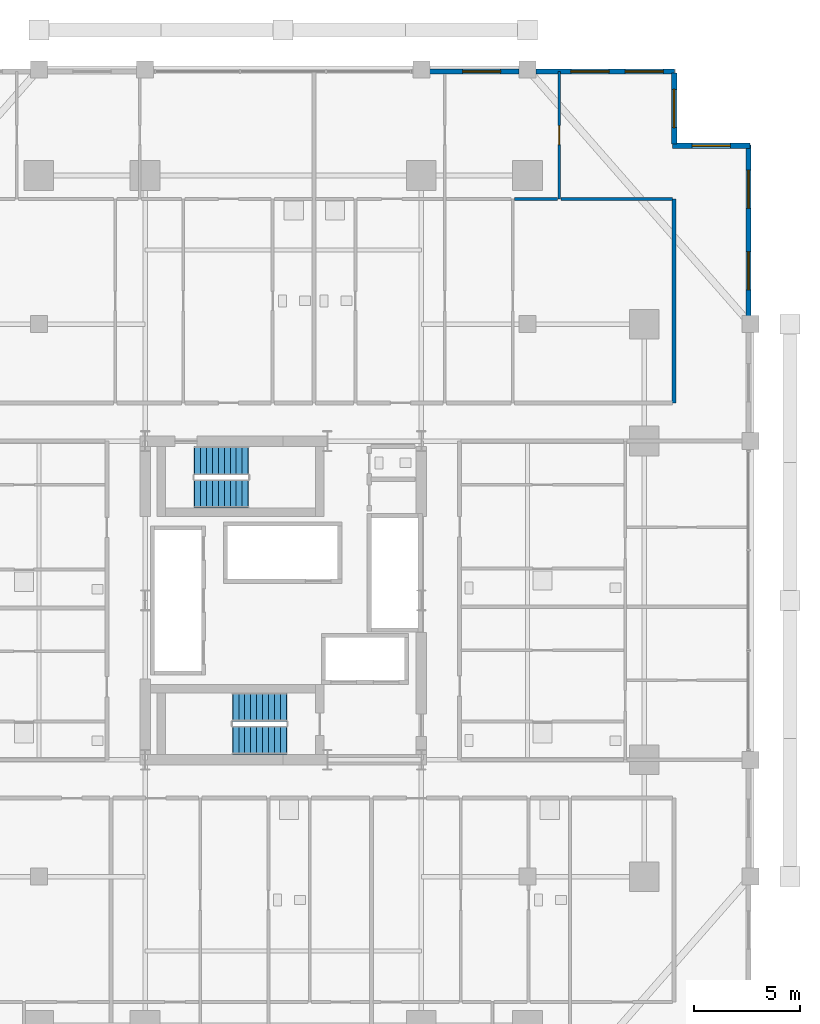
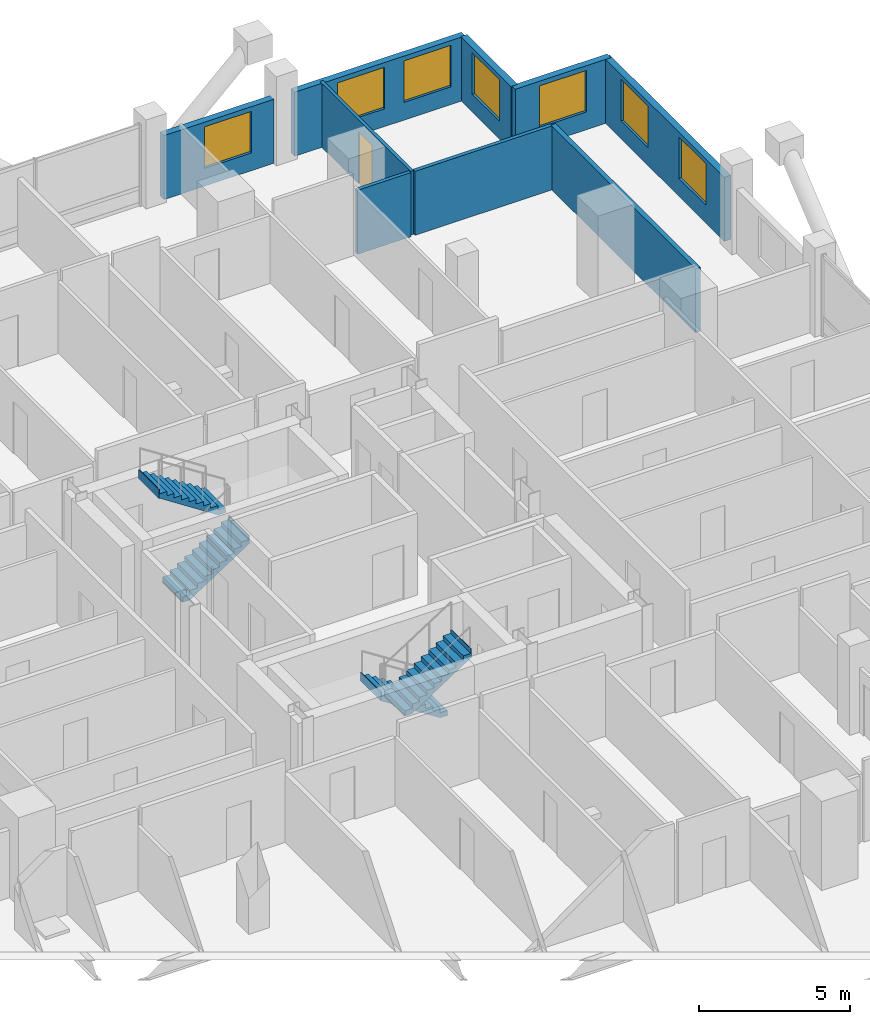
# One storey, part 22 of 24: 9 walls, 7 windows, 4 stair flights, 1 door, 8 openings, 2 elements without a shape of their own.
"""IFC4 building model written with IfcOpenShell, lengths in metres."""

from ifc_helpers import new_model, si_unit, direction, frame, frame_2d, origin, place, context, subcontext, project, spatial, polyline, rectangle, outline, extrude, material, layer, layer_set, type_object, element, fill, aggregate, save


model = new_model("IFC4")

# Units and contexts
model_context = context("Model", 3, precision=1e-05, world=origin(), true_north=direction((0.0, 1.0)))
body_context = subcontext(model_context, "Body", "Model", "MODEL_VIEW")
ifc_project = project(units=[si_unit("LENGTHUNIT", "METRE"), si_unit("AREAUNIT", "SQUARE_METRE"), si_unit("VOLUMEUNIT", "CUBIC_METRE"), si_unit("PLANEANGLEUNIT", "RADIAN"), si_unit("MASSUNIT", "GRAM", prefix="KILO")], contexts=[model_context])

# Site, building, storey
site_placement = place(None, origin())
site = spatial("IfcSite", under=ifc_project, at=site_placement, CompositionType="ELEMENT")
building_placement = place(site_placement, origin())
building = spatial("IfcBuilding", under=site, at=building_placement, Name="Barlavira Tower and Art Museum", CompositionType="ELEMENT")
storey_placement = place(building_placement, frame((0.0, 0.0, 90.0)))
storey = spatial("IfcBuildingStorey", under=building, at=storey_placement, Name="L22", CompositionType="ELEMENT", Elevation=90.0)

# Wall, opening, door
ifc_material_1 = material(Name="Gypsum acoustic stud partition", Category="gypsum")
ifc_layer_1 = layer(ifc_material_1, 0.1201171875, Name="Gypsum acoustic stud partition")
ifc_layer_set_1 = layer_set([ifc_layer_1], Name="Gypsum acoustic stud partition")
wall_type_1 = type_object("IfcWallType", Name="Apartment Internal Acoustic Partition 120", PredefinedType="PARTITIONING", material=ifc_layer_set_1)
wall_1_placement = place(storey_placement, frame((13.0, 18.89990234375, 0.0), z_axis=(0.0, 0.0, 1.0), x_axis=(0.0, 1.0, 0.0)))
wall_1 = element("IfcWall", 1, at=wall_1_placement, inside=storey, type_object=wall_type_1, Name="L22 Partition Wall 28", PredefinedType="PARTITIONING", context=body_context, shape_type="SweptSolid", body=[
    extrude(rectangle(XDim=6.0, YDim=0.1201171875, at=frame_2d((3.0, 0.0))), origin(), (0.0, 0.0, 1.0), 2.590087890625),
])
opening_1_placement = place(wall_1_placement, frame((2.550048828125, 0.0, 0.0)))
opening_1 = element("IfcOpeningElement", 2, at=opening_1_placement, cuts=wall_1, Name="Opening D-01", PredefinedType="OPENING", context=body_context, shape_type="SweptSolid", body=[
    extrude(rectangle(XDim=0.89990234375, YDim=2.10009765625, at=frame_2d((0.449951171875, 1.050048828125))), frame((0.0, 0.070068359375, 0.0), z_axis=(0.0, -1.0, 0.0), x_axis=(1.0, 0.0, 0.0)), (0.0, 0.0, 1.0), 0.14013671875),
])
ifc_material_2 = material(Name="Engineered coastal hardwood", Category="wood")
door_type = type_object("IfcDoorType", Name="Internal Bedroom Timber Flush Door 900x2100", OperationType="NOTDEFINED", PredefinedType="DOOR", material=ifc_material_2)
door_placement = place(opening_1_placement, origin())
door = element("IfcDoor", 3, at=door_placement, inside=storey, type_object=door_type, Name="Apartment N2 Bedroom 2 Door", OperationType="SINGLE_SWING_LEFT", OverallHeight=2.10009765625, OverallWidth=0.89990234375, PredefinedType="DOOR", context=body_context, shape_type="SweptSolid", body=[
    extrude(rectangle(XDim=0.89990234375, YDim=2.10009765625, at=frame_2d((0.449951171875, 1.050048828125))), frame((0.0, 0.02490234375, 0.0), z_axis=(0.0, -1.0, 0.0), x_axis=(1.0, 0.0, 0.0)), (0.0, 0.0, 1.0), 0.050048828125),
])
fill(opening_1, door)

# Walls
ifc_layer_2 = layer(ifc_material_1, 0.179931640625, Name="Gypsum acoustic stud partition")
ifc_layer_set_2 = layer_set([ifc_layer_2], Name="Gypsum acoustic stud partition")
wall_type_2 = type_object("IfcWallType", Name="Inter-Tenancy Party Partition Wall 180", PredefinedType="PARTITIONING", material=ifc_layer_set_2)
wall_2_placement = place(storey_placement, frame((18.39990234375, 9.300048828125, 0.0), z_axis=(0.0, 0.0, 1.0), x_axis=(0.0, 1.0, 0.0)))
element("IfcWall", 4, at=wall_2_placement, inside=storey, type_object=wall_type_2, Name="L22 Partition Wall 32", PredefinedType="PARTITIONING", context=body_context, shape_type="SweptSolid", body=[
    extrude(rectangle(XDim=9.599853515625, YDim=0.179931640625, at=frame_2d((4.7998046875, 0.0))), origin(), (0.0, 0.0, 1.0), 2.590087890625),
])
ifc_layer_3 = layer(ifc_material_1, 0.139892578125, Name="Gypsum acoustic stud partition")
ifc_layer_set_3 = layer_set([ifc_layer_3], Name="Gypsum acoustic stud partition")
wall_type_3 = type_object("IfcWallType", Name="Moisture-Resistant Bathroom Partition 140", PredefinedType="PARTITIONING", material=ifc_layer_set_3)
wall_3_placement = place(storey_placement, frame((10.8798828125, 18.89990234375, 0.0), z_axis=(0.0, 0.0, 1.0), x_axis=(1.0, 0.0, 0.0)))
element("IfcWall", 5, at=wall_3_placement, inside=storey, type_object=wall_type_3, Name="L22 Partition Wall 101", PredefinedType="PARTITIONING", context=body_context, shape_type="SweptSolid", body=[
    extrude(rectangle(XDim=2.0400390625, YDim=0.139892578125, at=frame_2d((1.02001953125, 0.0))), origin(), (0.0, 0.0, 1.0), 2.590087890625),
])
wall_4_placement = place(storey_placement, frame((13.080078125, 18.89990234375, 0.0), z_axis=(0.0, 0.0, 1.0), x_axis=(1.0, 0.0, 0.0)))
element("IfcWall", 6, at=wall_4_placement, inside=storey, type_object=wall_type_3, Name="L22 Partition Wall 102", PredefinedType="PARTITIONING", context=body_context, shape_type="SweptSolid", body=[
    extrude(rectangle(XDim=5.239990234375, YDim=0.139892578125, at=frame_2d((2.6201171875, 0.0))), origin(), (0.0, 0.0, 1.0), 2.590087890625),
])

# Wall, openings, windows
ifc_material_3 = material(Name="Precast concrete C40", Category="concrete")
ifc_layer_4 = layer(ifc_material_3, 0.25, Name="Precast concrete C40")
ifc_layer_set_4 = layer_set([ifc_layer_4], Name="Precast concrete C40")
wall_type_4 = type_object("IfcWallType", Name="Notched Corner Spandrel Wall 250 Precast Concrete C40", PredefinedType="SOLIDWALL", material=ifc_layer_set_4)
wall_5_placement = place(storey_placement, frame((18.425048828125, 24.89990234375, 0.0), z_axis=(0.0, 0.0, 1.0), x_axis=(-1.0, 0.0, 0.0)))
wall_5 = element("IfcWall", 7, at=wall_5_placement, inside=storey, type_object=wall_type_4, Name="L22 Coastal Facade Pier Wall CW1-L22-N-1", PredefinedType="SOLIDWALL", context=body_context, shape_type="SweptSolid", body=[
    extrude(rectangle(XDim=6.530029296875, YDim=0.25, at=frame_2d((3.26513671875, 0.0))), origin(), (0.0, 0.0, 1.0), 2.590087890625),
])
opening_2_placement = place(wall_5_placement, frame((0.533935546875, 0.0, 0.719970703125)))
opening_2 = element("IfcOpeningElement", 8, at=opening_2_placement, cuts=wall_5, Name="Opening WN-01", PredefinedType="OPENING", context=body_context, shape_type="SweptSolid", body=[
    extrude(rectangle(XDim=1.800048828125, YDim=1.679931640625, at=frame_2d((0.89990234375, 0.83984375))), frame((0.0, 0.135009765625, 0.0), z_axis=(0.0, -1.0, 0.0), x_axis=(1.0, 0.0, 0.0)), (0.0, 0.0, 1.0), 0.27001953125),
])
opening_3_placement = place(wall_5_placement, frame((3.0810546875, 0.0, 0.719970703125)))
opening_3 = element("IfcOpeningElement", 9, at=opening_3_placement, cuts=wall_5, Name="Opening WN-01", PredefinedType="OPENING", context=body_context, shape_type="SweptSolid", body=[
    extrude(rectangle(XDim=1.800048828125, YDim=1.679931640625, at=frame_2d((0.89990234375, 0.83984375))), frame((0.0, 0.135009765625, 0.0), z_axis=(0.0, -1.0, 0.0), x_axis=(1.0, 0.0, 0.0)), (0.0, 0.0, 1.0), 0.27001953125),
])
ifc_material_4 = material(Name="Low-iron coastal laminated glass", Category="glass")
window_type = type_object("IfcWindowType", Name="Recessed Notch Corner Punch Window 1800x1680", PartitioningType="SINGLE_PANEL", PredefinedType="WINDOW", material=ifc_material_4)
window_1_placement = place(opening_2_placement, origin())
window_1 = element("IfcWindow", 10, at=window_1_placement, inside=storey, type_object=window_type, Name="L22 Punched Facade Window EWP-CW1-L22-N-1-1", OverallHeight=1.679931640625, OverallWidth=1.800048828125, PartitioningType="SINGLE_PANEL", PredefinedType="WINDOW", context=body_context, shape_type="SweptSolid", body=[
    extrude(rectangle(XDim=1.800048828125, YDim=1.679931640625, at=frame_2d((0.89990234375, 0.83984375))), frame((0.0, 0.030029296875, 0.0), z_axis=(0.0, -1.0, 0.0), x_axis=(1.0, 0.0, 0.0)), (0.0, 0.0, 1.0), 0.06005859375),
])
fill(opening_2, window_1)
window_2_placement = place(opening_3_placement, origin())
window_2 = element("IfcWindow", 11, at=window_2_placement, inside=storey, type_object=window_type, Name="L22 Punched Facade Window EWP-CW1-L22-N-1-2", OverallHeight=1.679931640625, OverallWidth=1.800048828125, PartitioningType="SINGLE_PANEL", PredefinedType="WINDOW", context=body_context, shape_type="SweptSolid", body=[
    extrude(rectangle(XDim=1.800048828125, YDim=1.679931640625, at=frame_2d((0.89990234375, 0.83984375))), frame((0.0, 0.030029296875, 0.0), z_axis=(0.0, -1.0, 0.0), x_axis=(1.0, 0.0, 0.0)), (0.0, 0.0, 1.0), 0.06005859375),
])
fill(opening_3, window_2)

# Wall, opening, window
wall_6_placement = place(storey_placement, frame((11.10498046875, 24.89990234375, 0.0), z_axis=(0.0, 0.0, 1.0), x_axis=(-1.0, 0.0, 0.0)))
wall_6 = element("IfcWall", 12, at=wall_6_placement, inside=storey, type_object=wall_type_4, Name="L22 Coastal Facade Pier Wall CW1-L22-N-2", PredefinedType="SOLIDWALL", context=body_context, shape_type="SweptSolid", body=[
    extrude(rectangle(XDim=4.2099609375, YDim=0.25, at=frame_2d((2.10498046875, 0.0))), origin(), (0.0, 0.0, 1.0), 2.590087890625),
])
opening_4_placement = place(wall_6_placement, frame((0.864990234375, 0.0, 0.719970703125)))
opening_4 = element("IfcOpeningElement", 13, at=opening_4_placement, cuts=wall_6, Name="Opening WN-01", PredefinedType="OPENING", context=body_context, shape_type="SweptSolid", body=[
    extrude(rectangle(XDim=1.800048828125, YDim=1.679931640625, at=frame_2d((0.89990234375, 0.83984375))), frame((0.0, 0.135009765625, 0.0), z_axis=(0.0, -1.0, 0.0), x_axis=(1.0, 0.0, 0.0)), (0.0, 0.0, 1.0), 0.27001953125),
])
window_3_placement = place(opening_4_placement, origin())
window_3 = element("IfcWindow", 14, at=window_3_placement, inside=storey, type_object=window_type, Name="L22 Punched Facade Window EWP-CW1-L22-N-2-1", OverallHeight=1.679931640625, OverallWidth=1.800048828125, PartitioningType="SINGLE_PANEL", PredefinedType="WINDOW", context=body_context, shape_type="SweptSolid", body=[
    extrude(rectangle(XDim=1.800048828125, YDim=1.679931640625, at=frame_2d((0.89990234375, 0.83984375))), frame((0.0, 0.030029296875, 0.0), z_axis=(0.0, -1.0, 0.0), x_axis=(1.0, 0.0, 0.0)), (0.0, 0.0, 1.0), 0.06005859375),
])
fill(opening_4, window_3)

# Wall, openings, windows
wall_7_placement = place(storey_placement, frame((21.89990234375, 13.39501953125, 0.0), z_axis=(0.0, 0.0, 1.0), x_axis=(0.0, 1.0, 0.0)))
wall_7 = element("IfcWall", 15, at=wall_7_placement, inside=storey, type_object=wall_type_4, Name="L22 Coastal Facade Pier Wall CW1-L22-E-5", PredefinedType="SOLIDWALL", context=body_context, shape_type="SweptSolid", body=[
    extrude(rectangle(XDim=8.030029296875, YDim=0.25, at=frame_2d((4.01513671875, 0.0))), origin(), (0.0, 0.0, 1.0), 2.590087890625),
])
opening_5_placement = place(wall_7_placement, frame((1.220947265625, 0.0, 0.719970703125)))
opening_5 = element("IfcOpeningElement", 16, at=opening_5_placement, cuts=wall_7, Name="Opening WN-01", PredefinedType="OPENING", context=body_context, shape_type="SweptSolid", body=[
    extrude(rectangle(XDim=1.800048828125, YDim=1.679931640625, at=frame_2d((0.89990234375, 0.83984375))), frame((0.0, 0.135009765625, 0.0), z_axis=(0.0, -1.0, 0.0), x_axis=(1.0, 0.0, 0.0)), (0.0, 0.0, 1.0), 0.27001953125),
])
opening_6_placement = place(wall_7_placement, frame((5.053955078125, 0.0, 0.719970703125)))
opening_6 = element("IfcOpeningElement", 17, at=opening_6_placement, cuts=wall_7, Name="Opening WN-01", PredefinedType="OPENING", context=body_context, shape_type="SweptSolid", body=[
    extrude(rectangle(XDim=1.800048828125, YDim=1.679931640625, at=frame_2d((0.89990234375, 0.83984375))), frame((0.0, 0.135009765625, 0.0), z_axis=(0.0, -1.0, 0.0), x_axis=(1.0, 0.0, 0.0)), (0.0, 0.0, 1.0), 0.27001953125),
])
window_4_placement = place(opening_5_placement, origin())
window_4 = element("IfcWindow", 18, at=window_4_placement, inside=storey, type_object=window_type, Name="L22 Punched Facade Window EWP-CW1-L22-E-5-1", OverallHeight=1.679931640625, OverallWidth=1.800048828125, PartitioningType="SINGLE_PANEL", PredefinedType="WINDOW", context=body_context, shape_type="SweptSolid", body=[
    extrude(rectangle(XDim=1.800048828125, YDim=1.679931640625, at=frame_2d((0.89990234375, 0.83984375))), frame((0.0, 0.030029296875, 0.0), z_axis=(0.0, -1.0, 0.0), x_axis=(1.0, 0.0, 0.0)), (0.0, 0.0, 1.0), 0.06005859375),
])
fill(opening_5, window_4)
window_5_placement = place(opening_6_placement, origin())
window_5 = element("IfcWindow", 19, at=window_5_placement, inside=storey, type_object=window_type, Name="L22 Punched Facade Window EWP-CW1-L22-E-5-2", OverallHeight=1.679931640625, OverallWidth=1.800048828125, PartitioningType="SINGLE_PANEL", PredefinedType="WINDOW", context=body_context, shape_type="SweptSolid", body=[
    extrude(rectangle(XDim=1.800048828125, YDim=1.679931640625, at=frame_2d((0.89990234375, 0.83984375))), frame((0.0, 0.030029296875, 0.0), z_axis=(0.0, -1.0, 0.0), x_axis=(1.0, 0.0, 0.0)), (0.0, 0.0, 1.0), 0.06005859375),
])
fill(opening_6, window_5)

# Wall, opening, window
wall_8_placement = place(storey_placement, frame((21.97998046875, 21.39990234375, 0.0), z_axis=(0.0, 0.0, 1.0), x_axis=(-1.0, 0.0, 0.0)))
wall_8 = element("IfcWall", 20, at=wall_8_placement, inside=storey, type_object=wall_type_4, Name="L22 Notch Corner Wall NE1", PredefinedType="SOLIDWALL", context=body_context, shape_type="SweptSolid", body=[
    extrude(rectangle(XDim=3.659912109375, YDim=0.25, at=frame_2d((1.830078125, 0.0))), origin(), (0.0, 0.0, 1.0), 2.590087890625),
])
opening_7_placement = place(wall_8_placement, frame((0.929931640625, 0.0, 0.719970703125)))
opening_7 = element("IfcOpeningElement", 21, at=opening_7_placement, cuts=wall_8, Name="Opening WN-01", PredefinedType="OPENING", context=body_context, shape_type="SweptSolid", body=[
    extrude(rectangle(XDim=1.800048828125, YDim=1.679931640625, at=frame_2d((0.89990234375, 0.83984375))), frame((0.0, 0.135009765625, 0.0), z_axis=(0.0, -1.0, 0.0), x_axis=(1.0, 0.0, 0.0)), (0.0, 0.0, 1.0), 0.27001953125),
])
window_6_placement = place(opening_7_placement, origin())
window_6 = element("IfcWindow", 22, at=window_6_placement, inside=storey, type_object=window_type, Name="L22 Punched Facade Window EW-NTC-L22-NE1-1", OverallHeight=1.679931640625, OverallWidth=1.800048828125, PartitioningType="SINGLE_PANEL", PredefinedType="WINDOW", context=body_context, shape_type="SweptSolid", body=[
    extrude(rectangle(XDim=1.800048828125, YDim=1.679931640625, at=frame_2d((0.89990234375, 0.83984375))), frame((0.0, 0.030029296875, 0.0), z_axis=(0.0, -1.0, 0.0), x_axis=(1.0, 0.0, 0.0)), (0.0, 0.0, 1.0), 0.06005859375),
])
fill(opening_7, window_6)

wall_9_placement = place(storey_placement, frame((18.39990234375, 21.47998046875, 0.0), z_axis=(0.0, 0.0, 1.0), x_axis=(0.0, 1.0, 0.0)))
wall_9 = element("IfcWall", 23, at=wall_9_placement, inside=storey, type_object=wall_type_4, Name="L22 Notch Corner Wall NE2", PredefinedType="SOLIDWALL", context=body_context, shape_type="SweptSolid", body=[
    extrude(rectangle(XDim=3.340087890625, YDim=0.25, at=frame_2d((1.669921875, 0.0))), origin(), (0.0, 0.0, 1.0), 2.590087890625),
])
opening_8_placement = place(wall_9_placement, frame((0.77001953125, 0.0, 0.719970703125)))
opening_8 = element("IfcOpeningElement", 24, at=opening_8_placement, cuts=wall_9, Name="Opening WN-01", PredefinedType="OPENING", context=body_context, shape_type="SweptSolid", body=[
    extrude(rectangle(XDim=1.800048828125, YDim=1.679931640625, at=frame_2d((0.89990234375, 0.83984375))), frame((0.0, 0.135009765625, 0.0), z_axis=(0.0, -1.0, 0.0), x_axis=(1.0, 0.0, 0.0)), (0.0, 0.0, 1.0), 0.27001953125),
])
window_7_placement = place(opening_8_placement, origin())
window_7 = element("IfcWindow", 25, at=window_7_placement, inside=storey, type_object=window_type, Name="L22 Punched Facade Window EW-NTC-L22-NE2-1", OverallHeight=1.679931640625, OverallWidth=1.800048828125, PartitioningType="SINGLE_PANEL", PredefinedType="WINDOW", context=body_context, shape_type="SweptSolid", body=[
    extrude(rectangle(XDim=1.800048828125, YDim=1.679931640625, at=frame_2d((0.89990234375, 0.83984375))), frame((0.0, 0.030029296875, 0.0), z_axis=(0.0, -1.0, 0.0), x_axis=(1.0, 0.0, 0.0)), (0.0, 0.0, 1.0), 0.06005859375),
])
fill(opening_8, window_7)

# Stair, stair flights
ifc_material_5 = material(Name="Concrete C45", Category="concrete")
stair_type_1 = type_object("IfcStairType", Name="Tower North Dog-Leg Exit Stair Assembly Concrete C45", PredefinedType="TWO_QUARTER_TURN_STAIR", material=ifc_material_5)
stair_1_placement = place(storey_placement, origin())
stair_1 = element("IfcStair", 26, at=stair_1_placement, inside=storey, type_object=stair_type_1, Name="L22 Tower North Exit Stair ST-T2", PredefinedType="TWO_QUARTER_TURN_STAIR")
ifc_material_6 = material(Name="Precast concrete C45", Category="concrete")
stair_flight_type_1 = type_object("IfcStairFlightType", Name="Tower North Dog-Leg Exit Stair Precast Flight 1350 Concrete C45", PredefinedType="STRAIGHT", material=ifc_material_6)
stair_flight_1_placement = place(storey_placement, frame((-4.169921875, 5.02490234375, 0.0), z_axis=(0.0, 0.0, 1.0), x_axis=(1.0, 0.0, 0.0)))
stair_flight_1 = element("IfcStairFlight", 27, at=stair_flight_1_placement, type_object=stair_flight_type_1, Name="ST-T2 flight 1", NumberOfRisers=10, NumberOfTreads=9, PredefinedType="STRAIGHT", RiserHeight=0.18, TreadLength=0.28, context=body_context, shape_type="SweptSolid", body=[
    extrude(outline(polyline([(-0.02490234375, 0.0), (0.0, 0.0), (0.0, 0.179931640625), (0.280029296875, 0.179931640625), (0.280029296875, 0.360107421875), (0.56005859375, 0.360107421875), (0.56005859375, 0.5400390625), (0.840087890625, 0.5400390625), (0.840087890625, 0.719970703125), (1.1201171875, 0.719970703125), (1.1201171875, 0.89990234375), (1.39990234375, 0.89990234375), (1.39990234375, 1.080078125), (1.679931640625, 1.080078125), (1.679931640625, 1.260009765625), (1.9599609375, 1.260009765625), (1.9599609375, 1.43994140625), (2.239990234375, 1.43994140625), (2.239990234375, 1.6201171875), (2.52001953125, 1.6201171875), (2.52001953125, 1.800048828125), (2.544921875, 1.800048828125), (2.544921875, 1.44189453125), (2.52001953125, 1.44189453125), (0.277099609375, -0.02490234375), (-0.02490234375, -0.02490234375), (-0.02490234375, 0.0)])), frame((0.0, 0.675048828125, 0.0), z_axis=(0.0, -1.0, 0.0), x_axis=(1.0, 0.0, 0.0)), (0.0, 0.0, 1.0), 1.35009765625),
])
stair_flight_2_placement = place(storey_placement, frame((-1.64990234375, 6.574951171875, 1.800048828125), z_axis=(0.0, 0.0, 1.0), x_axis=(-1.0, 0.0, 0.0)))
stair_flight_2 = element("IfcStairFlight", 28, at=stair_flight_2_placement, type_object=stair_flight_type_1, Name="ST-T2 flight 2", NumberOfRisers=10, NumberOfTreads=9, PredefinedType="STRAIGHT", RiserHeight=0.18, TreadLength=0.28, context=body_context, shape_type="SweptSolid", body=[
    extrude(outline(polyline([(-0.02490234375, 0.0), (0.0, 0.0), (0.0, 0.179931640625), (0.280029296875, 0.179931640625), (0.280029296875, 0.360107421875), (0.56005859375, 0.360107421875), (0.56005859375, 0.5400390625), (0.840087890625, 0.5400390625), (0.840087890625, 0.719970703125), (1.1201171875, 0.719970703125), (1.1201171875, 0.89990234375), (1.39990234375, 0.89990234375), (1.39990234375, 1.080078125), (1.679931640625, 1.080078125), (1.679931640625, 1.260009765625), (1.9599609375, 1.260009765625), (1.9599609375, 1.43994140625), (2.239990234375, 1.43994140625), (2.239990234375, 1.6201171875), (2.52001953125, 1.6201171875), (2.52001953125, 1.800048828125), (2.544921875, 1.800048828125), (2.544921875, 1.44189453125), (2.52001953125, 1.44189453125), (0.277099609375, -0.02490234375), (-0.02490234375, -0.02490234375), (-0.02490234375, 0.0)])), frame((0.0, 0.675048828125, 0.0), z_axis=(0.0, -1.0, 0.0), x_axis=(1.0, 0.0, 0.0)), (0.0, 0.0, 1.0), 1.35009765625),
])
aggregate(stair_1, [stair_flight_1, stair_flight_2])

stair_type_2 = type_object("IfcStairType", Name="Tower South Dog-Leg Exit Stair Assembly Concrete C45", PredefinedType="TWO_QUARTER_TURN_STAIR", material=ifc_material_5)
stair_2_placement = place(storey_placement, origin())
stair_2 = element("IfcStair", 29, at=stair_2_placement, inside=storey, type_object=stair_type_2, Name="L22 Tower South Exit Stair ST-T1", PredefinedType="TWO_QUARTER_TURN_STAIR")
stair_flight_type_2 = type_object("IfcStairFlightType", Name="Tower South Dog-Leg Exit Stair Precast Flight 1350 Concrete C45", PredefinedType="STRAIGHT", material=ifc_material_6)
stair_flight_3_placement = place(storey_placement, frame((0.14990234375, -5.02490234375, 0.0), z_axis=(0.0, 0.0, 1.0), x_axis=(-1.0, 0.0, 0.0)))
stair_flight_3 = element("IfcStairFlight", 30, at=stair_flight_3_placement, type_object=stair_flight_type_2, Name="ST-T1 flight 1", NumberOfRisers=10, NumberOfTreads=9, PredefinedType="STRAIGHT", RiserHeight=0.18, TreadLength=0.28, context=body_context, shape_type="SweptSolid", body=[
    extrude(outline(polyline([(-0.02490234375, 0.0), (0.0, 0.0), (0.0, 0.179931640625), (0.280029296875, 0.179931640625), (0.280029296875, 0.360107421875), (0.56005859375, 0.360107421875), (0.56005859375, 0.5400390625), (0.840087890625, 0.5400390625), (0.840087890625, 0.719970703125), (1.1201171875, 0.719970703125), (1.1201171875, 0.89990234375), (1.39990234375, 0.89990234375), (1.39990234375, 1.080078125), (1.679931640625, 1.080078125), (1.679931640625, 1.260009765625), (1.9599609375, 1.260009765625), (1.9599609375, 1.43994140625), (2.239990234375, 1.43994140625), (2.239990234375, 1.6201171875), (2.52001953125, 1.6201171875), (2.52001953125, 1.800048828125), (2.544921875, 1.800048828125), (2.544921875, 1.44189453125), (2.52001953125, 1.44189453125), (0.277099609375, -0.02490234375), (-0.02490234375, -0.02490234375), (-0.02490234375, 0.0)])), frame((0.0, 0.675048828125, 0.0), z_axis=(0.0, -1.0, 0.0), x_axis=(1.0, 0.0, 0.0)), (0.0, 0.0, 1.0), 1.35009765625),
])
stair_flight_4_placement = place(storey_placement, frame((-2.3701171875, -6.574951171875, 1.800048828125), z_axis=(0.0, 0.0, 1.0), x_axis=(1.0, 0.0, 0.0)))
stair_flight_4 = element("IfcStairFlight", 31, at=stair_flight_4_placement, type_object=stair_flight_type_2, Name="ST-T1 flight 2", NumberOfRisers=10, NumberOfTreads=9, PredefinedType="STRAIGHT", RiserHeight=0.18, TreadLength=0.28, context=body_context, shape_type="SweptSolid", body=[
    extrude(outline(polyline([(-0.02490234375, 0.0), (0.0, 0.0), (0.0, 0.179931640625), (0.280029296875, 0.179931640625), (0.280029296875, 0.360107421875), (0.56005859375, 0.360107421875), (0.56005859375, 0.5400390625), (0.840087890625, 0.5400390625), (0.840087890625, 0.719970703125), (1.1201171875, 0.719970703125), (1.1201171875, 0.89990234375), (1.39990234375, 0.89990234375), (1.39990234375, 1.080078125), (1.679931640625, 1.080078125), (1.679931640625, 1.260009765625), (1.9599609375, 1.260009765625), (1.9599609375, 1.43994140625), (2.239990234375, 1.43994140625), (2.239990234375, 1.6201171875), (2.52001953125, 1.6201171875), (2.52001953125, 1.800048828125), (2.544921875, 1.800048828125), (2.544921875, 1.44189453125), (2.52001953125, 1.44189453125), (0.277099609375, -0.02490234375), (-0.02490234375, -0.02490234375), (-0.02490234375, 0.0)])), frame((0.0, 0.675048828125, 0.0), z_axis=(0.0, -1.0, 0.0), x_axis=(1.0, 0.0, 0.0)), (0.0, 0.0, 1.0), 1.35009765625),
])
aggregate(stair_2, [stair_flight_3, stair_flight_4])

save(model, "model.ifc")
